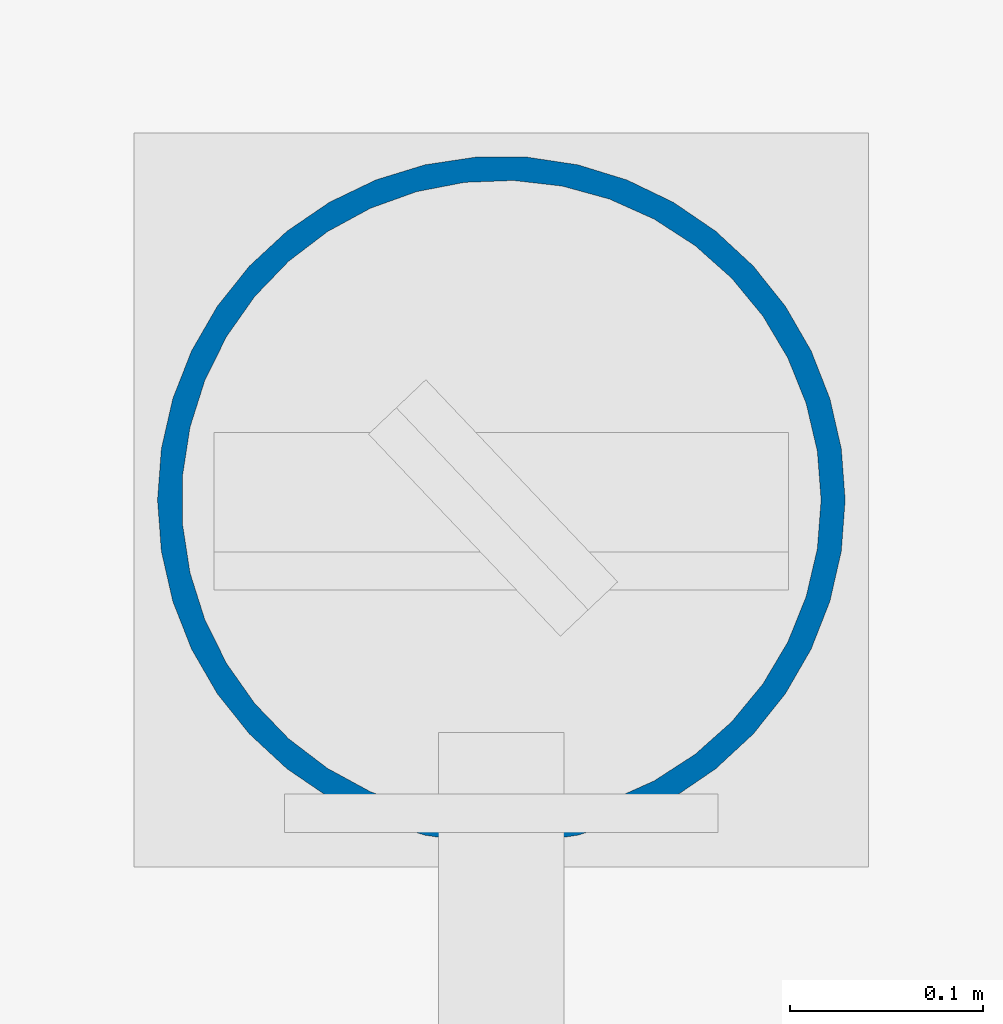
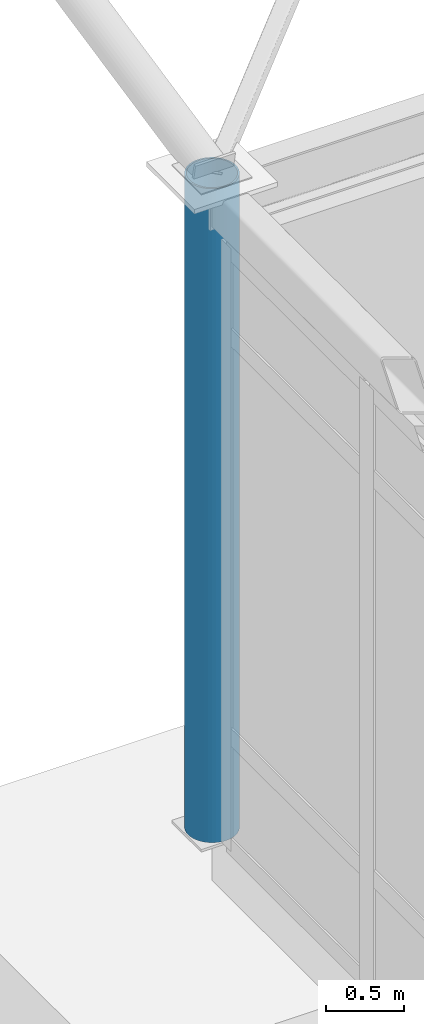
# One storey, part 12 of 138: 1 column.
"""IFC4 building model written with IfcOpenShell, lengths in metres."""

from ifc_helpers import new_model, si_unit, direction, frame, origin, origin_2d, place, context, subcontext, project, spatial, hollow_circle, extrude, material, material_profile, profile_set, type_object, element, save


model = new_model("IFC4")

# Units and contexts
model_context = context("Model", 3, precision=1e-05, world=origin(), true_north=direction((0.0, 1.0)))
body_context = subcontext(model_context, "Body", "Model", "MODEL_VIEW")
ifc_project = project(units=[si_unit("LENGTHUNIT", "METRE"), si_unit("AREAUNIT", "SQUARE_METRE"), si_unit("VOLUMEUNIT", "CUBIC_METRE"), si_unit("PLANEANGLEUNIT", "RADIAN"), si_unit("MASSUNIT", "GRAM", prefix="KILO")], contexts=[model_context])

# Site, building, storey
site_placement = place(None, origin())
site = spatial("IfcSite", under=ifc_project, at=site_placement, CompositionType="ELEMENT")
building_placement = place(site_placement, origin())
building = spatial("IfcBuilding", under=site, at=building_placement, Name="Kranzveld Transit Interchange", CompositionType="ELEMENT")
storey_placement = place(building_placement, origin())
storey = spatial("IfcBuildingStorey", under=building, at=storey_placement, Name="L00", CompositionType="ELEMENT", Elevation=0.0)

# Column
ifc_material = material(Name="Steel S355JR", Category="steel")
ifc_material_profile = material_profile(ifc_material, hollow_circle(Radius=0.177734375, WallThickness=0.012451171875, at=origin_2d()), Name="CHS 355.6x12.5")
ifc_profile_set = profile_set([ifc_material_profile], Name="Steel S355JR")
column_type = type_object("IfcColumnType", Name="Arcade Column CHS 355.6x12.5 S355JR", PredefinedType="COLUMN", material=ifc_profile_set)
column_placement = place(storey_placement, frame((58.800048828125, 88.0, 0.0), z_axis=(0.0, 0.0, 1.0), x_axis=(1.0, 0.0, 0.0)))
element("IfcColumn", 1, at=column_placement, inside=storey, type_object=column_type, Name="L00 Column 08/M", PredefinedType="COLUMN", context=body_context, shape_type="SweptSolid", body=[
    extrude(hollow_circle(Radius=0.177734375, WallThickness=0.012451171875, at=origin_2d()), origin(), (0.0, 0.0, 1.0), 5.14990234375),
])

save(model, "model.ifc")
